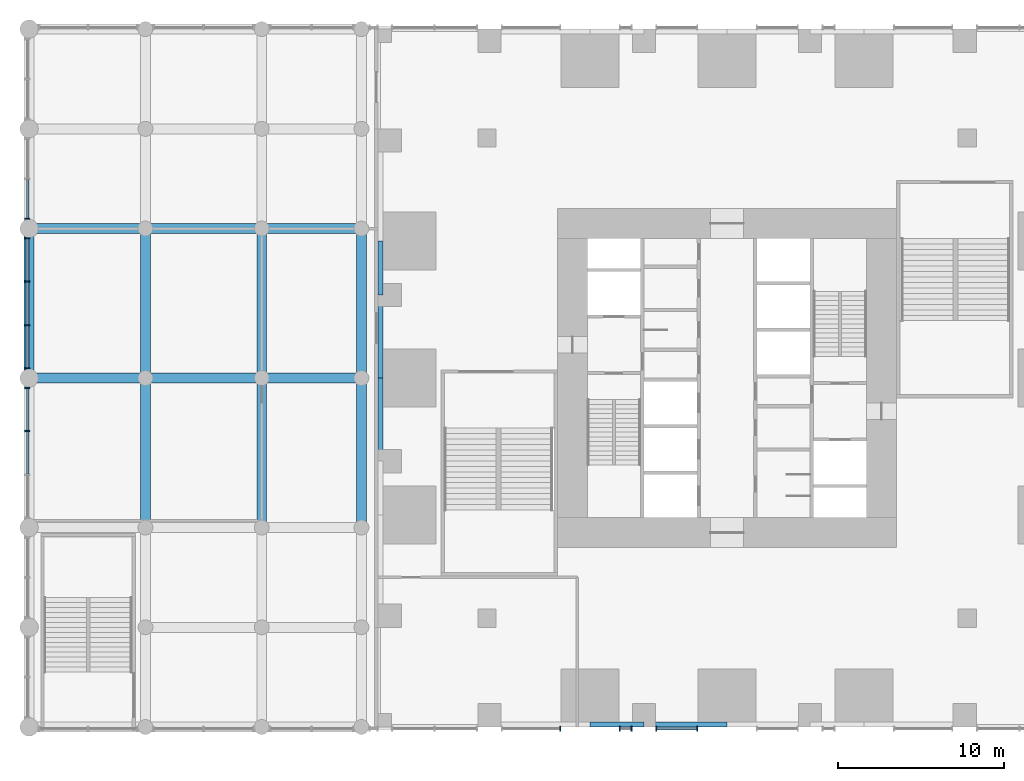
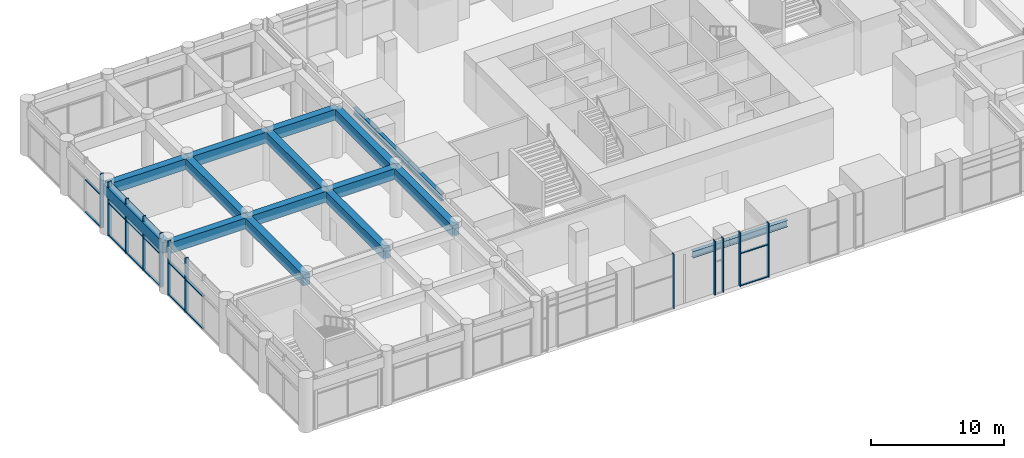
# One storey, part 3 of 23: 26 members, 18 beams, 6 elements without a shape of their own.
"""IFC4 building model written with IfcOpenShell, lengths in metres."""

from ifc_helpers import new_model, si_unit, direction, frame, origin, origin_2d, place, context, subcontext, project, spatial, rectangle, i_section, extrude, material, material_profile, profile_set, type_object, element, aggregate, save


model = new_model("IFC4")

# Units and contexts
model_context = context("Model", 3, precision=1e-05, world=origin(), true_north=direction((0.0, 1.0)))
body_context = subcontext(model_context, "Body", "Model", "MODEL_VIEW")
ifc_project = project(units=[si_unit("LENGTHUNIT", "METRE"), si_unit("AREAUNIT", "SQUARE_METRE"), si_unit("VOLUMEUNIT", "CUBIC_METRE"), si_unit("PLANEANGLEUNIT", "RADIAN"), si_unit("MASSUNIT", "GRAM", prefix="KILO")], contexts=[model_context])

# Site, building, storey
site_placement = place(None, origin())
site = spatial("IfcSite", under=ifc_project, at=site_placement, CompositionType="ELEMENT")
building_placement = place(site_placement, origin())
building = spatial("IfcBuilding", under=site, at=building_placement, Name="Svetlomir Tower", CompositionType="ELEMENT")
storey_placement = place(building_placement, frame((0.0, 0.0, 6.0)))
storey = spatial("IfcBuildingStorey", under=building, at=storey_placement, Name="L01", CompositionType="ELEMENT", Elevation=6.0)

# Curtain wall, member
ifc_material_1 = material(Name="Bronze anodised aluminium curtain wall", Category="aluminium")
curtain_wall_type = type_object("IfcCurtainWallType", Name="CURTAIN WALL CW5 PODIUM", PredefinedType="NOTDEFINED", material=ifc_material_1)
curtain_wall_1_placement = place(storey_placement, origin())
curtain_wall_1 = element("IfcCurtainWall", 1, at=curtain_wall_1_placement, inside=storey, type_object=curtain_wall_type, Name="Curtain wall CW5 L01", PredefinedType="NOTDEFINED")
ifc_material_2 = material(Name="Bronze anodised aluminium", Category="aluminium")
ifc_material_profile_1 = material_profile(ifc_material_2, rectangle(XDim=0.080078125, YDim=0.300048828125, at=origin_2d()), Name="AL 80x300")
ifc_profile_set_1 = profile_set([ifc_material_profile_1], Name="Bronze anodised aluminium 6063-T6")
member_type_1 = type_object("IfcMemberType", Name="CW5 MULLION 80x300", PredefinedType="MULLION", material=ifc_profile_set_1)
member_1_placement = place(storey_placement, frame((10.9599609375, -0.10009765625, 0.0), z_axis=(0.0, 0.0, 1.0), x_axis=(1.0, 0.0, 0.0)))
member_1 = element("IfcMember", 2, at=member_1_placement, type_object=member_type_1, Name="CW5 mullion 2", PredefinedType="MULLION", context=body_context, shape_type="SweptSolid", body=[
    extrude(rectangle(XDim=0.080078125, YDim=0.300048828125, at=origin_2d()), origin(), (0.0, 0.0, 1.0), 5.0),
])
aggregate(curtain_wall_1, [member_1])

# Curtain wall, members
curtain_wall_2_placement = place(storey_placement, origin())
curtain_wall_2 = element("IfcCurtainWall", 3, at=curtain_wall_2_placement, inside=storey, type_object=curtain_wall_type, Name="Curtain wall CW5 L01", PredefinedType="NOTDEFINED")
member_2_placement = place(storey_placement, frame((14.5400390625, -0.10009765625, 0.0), z_axis=(0.0, 0.0, 1.0), x_axis=(1.0, 0.0, 0.0)))
member_2 = element("IfcMember", 4, at=member_2_placement, type_object=member_type_1, Name="CW5 mullion 1", PredefinedType="MULLION", context=body_context, shape_type="SweptSolid", body=[
    extrude(rectangle(XDim=0.080078125, YDim=0.300048828125, at=origin_2d()), origin(), (0.0, 0.0, 1.0), 5.0),
])
member_3_placement = place(storey_placement, frame((15.260009765625, -0.10009765625, 0.0), z_axis=(0.0, 0.0, 1.0), x_axis=(1.0, 0.0, 0.0)))
member_3 = element("IfcMember", 5, at=member_3_placement, type_object=member_type_1, Name="CW5 mullion 2", PredefinedType="MULLION", context=body_context, shape_type="SweptSolid", body=[
    extrude(rectangle(XDim=0.080078125, YDim=0.300048828125, at=origin_2d()), origin(), (0.0, 0.0, 1.0), 5.0),
])
aggregate(curtain_wall_2, [member_2, member_3])

curtain_wall_3_placement = place(storey_placement, origin())
curtain_wall_3 = element("IfcCurtainWall", 6, at=curtain_wall_3_placement, inside=storey, type_object=curtain_wall_type, Name="Curtain wall CW5 L01", PredefinedType="NOTDEFINED")
member_4_placement = place(storey_placement, frame((16.739990234375, -0.10009765625, 0.0), z_axis=(0.0, 0.0, 1.0), x_axis=(1.0, 0.0, 0.0)))
member_4 = element("IfcMember", 7, at=member_4_placement, type_object=member_type_1, Name="CW5 mullion 1", PredefinedType="MULLION", context=body_context, shape_type="SweptSolid", body=[
    extrude(rectangle(XDim=0.080078125, YDim=0.300048828125, at=origin_2d()), origin(), (0.0, 0.0, 1.0), 5.0),
])
member_5_placement = place(storey_placement, frame((19.2099609375, -0.10009765625, 0.0), z_axis=(0.0, 0.0, 1.0), x_axis=(1.0, 0.0, 0.0)))
member_5 = element("IfcMember", 8, at=member_5_placement, type_object=member_type_1, Name="CW5 mullion 2", PredefinedType="MULLION", context=body_context, shape_type="SweptSolid", body=[
    extrude(rectangle(XDim=0.080078125, YDim=0.300048828125, at=origin_2d()), origin(), (0.0, 0.0, 1.0), 5.0),
])

# Curtain wall, member
curtain_wall_4_placement = place(storey_placement, origin())
curtain_wall_4 = element("IfcCurtainWall", 9, at=curtain_wall_4_placement, inside=storey, type_object=curtain_wall_type, Name="Curtain wall CW5 L01", PredefinedType="NOTDEFINED")
member_6_placement = place(storey_placement, frame((-21.10009765625, 30.590087890625, 0.0), z_axis=(0.0, 0.0, 1.0), x_axis=(0.0, -1.0, 0.0)))
member_6 = element("IfcMember", 10, at=member_6_placement, type_object=member_type_1, Name="CW5 mullion 3", PredefinedType="MULLION", context=body_context, shape_type="SweptSolid", body=[
    extrude(rectangle(XDim=0.080078125, YDim=0.300048828125, at=origin_2d()), origin(), (0.0, 0.0, 1.0), 5.0),
])

# Curtain wall, members
curtain_wall_5_placement = place(storey_placement, origin())
curtain_wall_5 = element("IfcCurtainWall", 11, at=curtain_wall_5_placement, inside=storey, type_object=curtain_wall_type, Name="Curtain wall CW5 L01", PredefinedType="NOTDEFINED")
member_7_placement = place(storey_placement, frame((-21.10009765625, 29.409912109375, 0.0), z_axis=(0.0, 0.0, 1.0), x_axis=(0.0, -1.0, 0.0)))
member_7 = element("IfcMember", 12, at=member_7_placement, type_object=member_type_1, Name="CW5 mullion 1", PredefinedType="MULLION", context=body_context, shape_type="SweptSolid", body=[
    extrude(rectangle(XDim=0.080078125, YDim=0.300048828125, at=origin_2d()), origin(), (0.0, 0.0, 1.0), 5.0),
])
member_8_placement = place(storey_placement, frame((-21.10009765625, 26.816650390625, 0.0), z_axis=(0.0, 0.0, 1.0), x_axis=(0.0, -1.0, 0.0)))
member_8 = element("IfcMember", 13, at=member_8_placement, type_object=member_type_1, Name="CW5 mullion 2", PredefinedType="MULLION", context=body_context, shape_type="SweptSolid", body=[
    extrude(rectangle(XDim=0.080078125, YDim=0.300048828125, at=origin_2d()), origin(), (0.0, 0.0, 1.0), 5.0),
])
member_9_placement = place(storey_placement, frame((-21.10009765625, 24.183349609375, 0.0), z_axis=(0.0, 0.0, 1.0), x_axis=(0.0, -1.0, 0.0)))
member_9 = element("IfcMember", 14, at=member_9_placement, type_object=member_type_1, Name="CW5 mullion 3", PredefinedType="MULLION", context=body_context, shape_type="SweptSolid", body=[
    extrude(rectangle(XDim=0.080078125, YDim=0.300048828125, at=origin_2d()), origin(), (0.0, 0.0, 1.0), 5.0),
])
member_10_placement = place(storey_placement, frame((-21.10009765625, 21.590087890625, 0.0), z_axis=(0.0, 0.0, 1.0), x_axis=(0.0, -1.0, 0.0)))
member_10 = element("IfcMember", 15, at=member_10_placement, type_object=member_type_1, Name="CW5 mullion 4", PredefinedType="MULLION", context=body_context, shape_type="SweptSolid", body=[
    extrude(rectangle(XDim=0.080078125, YDim=0.300048828125, at=origin_2d()), origin(), (0.0, 0.0, 1.0), 5.0),
])

curtain_wall_6_placement = place(storey_placement, origin())
curtain_wall_6 = element("IfcCurtainWall", 16, at=curtain_wall_6_placement, inside=storey, type_object=curtain_wall_type, Name="Curtain wall CW5 L01", PredefinedType="NOTDEFINED")
member_11_placement = place(storey_placement, frame((-21.10009765625, 20.409912109375, 0.0), z_axis=(0.0, 0.0, 1.0), x_axis=(0.0, -1.0, 0.0)))
member_11 = element("IfcMember", 17, at=member_11_placement, type_object=member_type_1, Name="CW5 mullion 1", PredefinedType="MULLION", context=body_context, shape_type="SweptSolid", body=[
    extrude(rectangle(XDim=0.080078125, YDim=0.300048828125, at=origin_2d()), origin(), (0.0, 0.0, 1.0), 5.0),
])
member_12_placement = place(storey_placement, frame((-21.10009765625, 17.816650390625, 0.0), z_axis=(0.0, 0.0, 1.0), x_axis=(0.0, -1.0, 0.0)))
member_12 = element("IfcMember", 18, at=member_12_placement, type_object=member_type_1, Name="CW5 mullion 2", PredefinedType="MULLION", context=body_context, shape_type="SweptSolid", body=[
    extrude(rectangle(XDim=0.080078125, YDim=0.300048828125, at=origin_2d()), origin(), (0.0, 0.0, 1.0), 5.0),
])

# Member
ifc_material_3 = material(Name="Bronze anodised aluminium", Category="aluminium")
ifc_material_profile_2 = material_profile(ifc_material_3, rectangle(XDim=0.179931640625, YDim=0.080078125, at=origin_2d()), Name="AL 180x80")
ifc_profile_set_2 = profile_set([ifc_material_profile_2], Name="Bronze anodised aluminium 6063-T6")
member_type_2 = type_object("IfcMemberType", Name="CW5 TRANSOM 80x180", PredefinedType="USERDEFINED", material=ifc_profile_set_2)
member_13_placement = place(storey_placement, frame((16.780029296875, -0.10009765625, 0.0400390625), z_axis=(1.0, 0.0, 0.0), x_axis=(0.0, 1.0, 0.0)))
member_13 = element("IfcMember", 19, at=member_13_placement, type_object=member_type_2, Name="CW5 transom 1.1", ObjectType="TRANSOM", PredefinedType="USERDEFINED", context=body_context, shape_type="SweptSolid", body=[
    extrude(rectangle(XDim=0.179931640625, YDim=0.080078125, at=origin_2d()), origin(), (0.0, 0.0, 1.0), 2.389892578125),
])

member_14_placement = place(storey_placement, frame((16.780029296875, -0.10009765625, 3.0), z_axis=(1.0, 0.0, 0.0), x_axis=(0.0, 1.0, 0.0)))
member_14 = element("IfcMember", 20, at=member_14_placement, type_object=member_type_2, Name="CW5 transom 1.2", ObjectType="TRANSOM", PredefinedType="USERDEFINED", context=body_context, shape_type="SweptSolid", body=[
    extrude(rectangle(XDim=0.179931640625, YDim=0.080078125, at=origin_2d()), origin(), (0.0, 0.0, 1.0), 2.389892578125),
])

aggregate(curtain_wall_3, [member_4, member_5, member_13, member_14])

member_15_placement = place(storey_placement, frame((-21.10009765625, 32.9599609375, 0.0400390625), z_axis=(0.0, -1.0, 0.0), x_axis=(1.0, 0.0, 0.0)))
member_15 = element("IfcMember", 21, at=member_15_placement, type_object=member_type_2, Name="CW5 transom 2.1", ObjectType="TRANSOM", PredefinedType="USERDEFINED", context=body_context, shape_type="SweptSolid", body=[
    extrude(rectangle(XDim=0.179931640625, YDim=0.080078125, at=origin_2d()), origin(), (0.0, 0.0, 1.0), 2.330078125),
])

member_16_placement = place(storey_placement, frame((-21.10009765625, 32.9599609375, 3.0), z_axis=(0.0, -1.0, 0.0), x_axis=(1.0, 0.0, 0.0)))
member_16 = element("IfcMember", 22, at=member_16_placement, type_object=member_type_2, Name="CW5 transom 2.2", ObjectType="TRANSOM", PredefinedType="USERDEFINED", context=body_context, shape_type="SweptSolid", body=[
    extrude(rectangle(XDim=0.179931640625, YDim=0.080078125, at=origin_2d()), origin(), (0.0, 0.0, 1.0), 2.330078125),
])

aggregate(curtain_wall_4, [member_6, member_15, member_16])

member_17_placement = place(storey_placement, frame((-21.10009765625, 29.3701171875, 0.0400390625), z_axis=(0.0, -1.0, 0.0), x_axis=(1.0, 0.0, 0.0)))
member_17 = element("IfcMember", 23, at=member_17_placement, type_object=member_type_2, Name="CW5 transom 1.1", ObjectType="TRANSOM", PredefinedType="USERDEFINED", context=body_context, shape_type="SweptSolid", body=[
    extrude(rectangle(XDim=0.179931640625, YDim=0.080078125, at=origin_2d()), origin(), (0.0, 0.0, 1.0), 2.513427734375),
])

member_18_placement = place(storey_placement, frame((-21.10009765625, 29.3701171875, 3.0), z_axis=(0.0, -1.0, 0.0), x_axis=(1.0, 0.0, 0.0)))
member_18 = element("IfcMember", 24, at=member_18_placement, type_object=member_type_2, Name="CW5 transom 1.2", ObjectType="TRANSOM", PredefinedType="USERDEFINED", context=body_context, shape_type="SweptSolid", body=[
    extrude(rectangle(XDim=0.179931640625, YDim=0.080078125, at=origin_2d()), origin(), (0.0, 0.0, 1.0), 2.513427734375),
])

member_19_placement = place(storey_placement, frame((-21.10009765625, 26.776611328125, 0.0400390625), z_axis=(0.0, -1.0, 0.0), x_axis=(1.0, 0.0, 0.0)))
member_19 = element("IfcMember", 25, at=member_19_placement, type_object=member_type_2, Name="CW5 transom 2.1", ObjectType="TRANSOM", PredefinedType="USERDEFINED", context=body_context, shape_type="SweptSolid", body=[
    extrude(rectangle(XDim=0.179931640625, YDim=0.080078125, at=origin_2d()), origin(), (0.0, 0.0, 1.0), 2.55322265625),
])

member_20_placement = place(storey_placement, frame((-21.10009765625, 26.776611328125, 3.0), z_axis=(0.0, -1.0, 0.0), x_axis=(1.0, 0.0, 0.0)))
member_20 = element("IfcMember", 26, at=member_20_placement, type_object=member_type_2, Name="CW5 transom 2.2", ObjectType="TRANSOM", PredefinedType="USERDEFINED", context=body_context, shape_type="SweptSolid", body=[
    extrude(rectangle(XDim=0.179931640625, YDim=0.080078125, at=origin_2d()), origin(), (0.0, 0.0, 1.0), 2.55322265625),
])

member_21_placement = place(storey_placement, frame((-21.10009765625, 24.143310546875, 0.0400390625), z_axis=(0.0, -1.0, 0.0), x_axis=(1.0, 0.0, 0.0)))
member_21 = element("IfcMember", 27, at=member_21_placement, type_object=member_type_2, Name="CW5 transom 3.1", ObjectType="TRANSOM", PredefinedType="USERDEFINED", context=body_context, shape_type="SweptSolid", body=[
    extrude(rectangle(XDim=0.179931640625, YDim=0.080078125, at=origin_2d()), origin(), (0.0, 0.0, 1.0), 2.513427734375),
])

member_22_placement = place(storey_placement, frame((-21.10009765625, 24.143310546875, 3.0), z_axis=(0.0, -1.0, 0.0), x_axis=(1.0, 0.0, 0.0)))
member_22 = element("IfcMember", 28, at=member_22_placement, type_object=member_type_2, Name="CW5 transom 3.2", ObjectType="TRANSOM", PredefinedType="USERDEFINED", context=body_context, shape_type="SweptSolid", body=[
    extrude(rectangle(XDim=0.179931640625, YDim=0.080078125, at=origin_2d()), origin(), (0.0, 0.0, 1.0), 2.513427734375),
])

aggregate(curtain_wall_5, [member_7, member_8, member_9, member_10, member_17, member_18, member_19, member_20, member_21, member_22])

member_23_placement = place(storey_placement, frame((-21.10009765625, 20.3701171875, 0.0400390625), z_axis=(0.0, -1.0, 0.0), x_axis=(1.0, 0.0, 0.0)))
member_23 = element("IfcMember", 29, at=member_23_placement, type_object=member_type_2, Name="CW5 transom 1.1", ObjectType="TRANSOM", PredefinedType="USERDEFINED", context=body_context, shape_type="SweptSolid", body=[
    extrude(rectangle(XDim=0.179931640625, YDim=0.080078125, at=origin_2d()), origin(), (0.0, 0.0, 1.0), 2.513427734375),
])

member_24_placement = place(storey_placement, frame((-21.10009765625, 20.3701171875, 3.0), z_axis=(0.0, -1.0, 0.0), x_axis=(1.0, 0.0, 0.0)))
member_24 = element("IfcMember", 30, at=member_24_placement, type_object=member_type_2, Name="CW5 transom 1.2", ObjectType="TRANSOM", PredefinedType="USERDEFINED", context=body_context, shape_type="SweptSolid", body=[
    extrude(rectangle(XDim=0.179931640625, YDim=0.080078125, at=origin_2d()), origin(), (0.0, 0.0, 1.0), 2.513427734375),
])

member_25_placement = place(storey_placement, frame((-21.10009765625, 17.776611328125, 0.0400390625), z_axis=(0.0, -1.0, 0.0), x_axis=(1.0, 0.0, 0.0)))
member_25 = element("IfcMember", 31, at=member_25_placement, type_object=member_type_2, Name="CW5 transom 2.1", ObjectType="TRANSOM", PredefinedType="USERDEFINED", context=body_context, shape_type="SweptSolid", body=[
    extrude(rectangle(XDim=0.179931640625, YDim=0.080078125, at=origin_2d()), origin(), (0.0, 0.0, 1.0), 2.55322265625),
])

member_26_placement = place(storey_placement, frame((-21.10009765625, 17.776611328125, 3.0), z_axis=(0.0, -1.0, 0.0), x_axis=(1.0, 0.0, 0.0)))
member_26 = element("IfcMember", 32, at=member_26_placement, type_object=member_type_2, Name="CW5 transom 2.2", ObjectType="TRANSOM", PredefinedType="USERDEFINED", context=body_context, shape_type="SweptSolid", body=[
    extrude(rectangle(XDim=0.179931640625, YDim=0.080078125, at=origin_2d()), origin(), (0.0, 0.0, 1.0), 2.55322265625),
])

aggregate(curtain_wall_6, [member_11, member_12, member_23, member_24, member_25, member_26])

# Beams
ifc_material_4 = material(Name="Concrete C60/75", Category="concrete")
ifc_material_profile_3 = material_profile(ifc_material_4, rectangle(XDim=0.60009765625, YDim=1.0, at=origin_2d()), Name="RC 600x1000")
ifc_profile_set_3 = profile_set([ifc_material_profile_3], Name="Concrete C60/75")
beam_type_1 = type_object("IfcBeamType", Name="PODIUM BEAM RC 600x1000", PredefinedType="BEAM", material=ifc_profile_set_3)
beam_1_placement = place(storey_placement, frame((-21.0, 21.0, 4.0), z_axis=(0.0, 1.0, 0.0), x_axis=(-1.0, 0.0, 0.0)))
element("IfcBeam", 33, at=beam_1_placement, inside=storey, type_object=beam_type_1, Name="Podium beam -21/21 to -21/30 under L02", PredefinedType="BEAM", context=body_context, shape_type="SweptSolid", body=[
    extrude(rectangle(XDim=0.60009765625, YDim=1.0, at=origin_2d()), origin(), (0.0, 0.0, 1.0), 9.0),
])
for number, where, z_axis, x_axis, name in (
    (34, (-21.0, 21.0, 4.0), (1.0, 0.0, 0.0), (0.0, 1.0, 0.0), "Podium beam -21/21 to -14/21 under L02"),
    (35, (-21.0, 30.0, 4.0), (1.0, 0.0, 0.0), (0.0, 1.0, 0.0), "Podium beam -21/30 to -14/30 under L02"),
):
    element("IfcBeam", number, at=place(storey_placement, frame(where, z_axis=z_axis, x_axis=x_axis)), inside=storey, type_object=beam_type_1, Name=name, PredefinedType="BEAM", context=body_context, shape_type="SweptSolid", body=[
        extrude(rectangle(XDim=0.60009765625, YDim=1.0, at=origin_2d()), origin(), (0.0, 0.0, 1.0), 7.0),
    ])
for number, where, z_axis, x_axis, name in (
    (36, (-14.0, 12.0, 4.0), (0.0, 1.0, 0.0), (-1.0, 0.0, 0.0), "Podium beam -14/12 to -14/21 under L02"),
    (37, (-14.0, 21.0, 4.0), (0.0, 1.0, 0.0), (-1.0, 0.0, 0.0), "Podium beam -14/21 to -14/30 under L02"),
):
    element("IfcBeam", number, at=place(storey_placement, frame(where, z_axis=z_axis, x_axis=x_axis)), inside=storey, type_object=beam_type_1, Name=name, PredefinedType="BEAM", context=body_context, shape_type="SweptSolid", body=[
        extrude(rectangle(XDim=0.60009765625, YDim=1.0, at=origin_2d()), origin(), (0.0, 0.0, 1.0), 9.0),
    ])
for number, where, z_axis, x_axis, name in (
    (38, (-14.0, 21.0, 4.0), (1.0, 0.0, 0.0), (0.0, 1.0, 0.0), "Podium beam -14/21 to -7/21 under L02"),
    (39, (-14.0, 30.0, 4.0), (1.0, 0.0, 0.0), (0.0, 1.0, 0.0), "Podium beam -14/30 to -7/30 under L02"),
):
    element("IfcBeam", number, at=place(storey_placement, frame(where, z_axis=z_axis, x_axis=x_axis)), inside=storey, type_object=beam_type_1, Name=name, PredefinedType="BEAM", context=body_context, shape_type="SweptSolid", body=[
        extrude(rectangle(XDim=0.60009765625, YDim=1.0, at=origin_2d()), origin(), (0.0, 0.0, 1.0), 7.0),
    ])
for number, where, z_axis, x_axis, name in (
    (40, (-7.0, 12.0, 4.0), (0.0, 1.0, 0.0), (-1.0, 0.0, 0.0), "Podium beam -7/12 to -7/21 under L02"),
    (41, (-7.0, 21.0, 4.0), (0.0, 1.0, 0.0), (-1.0, 0.0, 0.0), "Podium beam -7/21 to -7/30 under L02"),
):
    element("IfcBeam", number, at=place(storey_placement, frame(where, z_axis=z_axis, x_axis=x_axis)), inside=storey, type_object=beam_type_1, Name=name, PredefinedType="BEAM", context=body_context, shape_type="SweptSolid", body=[
        extrude(rectangle(XDim=0.60009765625, YDim=1.0, at=origin_2d()), origin(), (0.0, 0.0, 1.0), 9.0),
    ])
for number, where, z_axis, x_axis, name in (
    (42, (-7.0, 21.0, 4.0), (1.0, 0.0, 0.0), (0.0, 1.0, 0.0), "Podium beam -7/21 to -1/21 under L02"),
    (43, (-7.0, 30.0, 4.0), (1.0, 0.0, 0.0), (0.0, 1.0, 0.0), "Podium beam -7/30 to -1/30 under L02"),
):
    element("IfcBeam", number, at=place(storey_placement, frame(where, z_axis=z_axis, x_axis=x_axis)), inside=storey, type_object=beam_type_1, Name=name, PredefinedType="BEAM", context=body_context, shape_type="SweptSolid", body=[
        extrude(rectangle(XDim=0.60009765625, YDim=1.0, at=origin_2d()), origin(), (0.0, 0.0, 1.0), 6.0),
    ])
for number, where, z_axis, x_axis, name in (
    (44, (-1.0, 12.0, 4.0), (0.0, 1.0, 0.0), (-1.0, 0.0, 0.0), "Podium beam -1/12 to -1/21 under L02"),
    (45, (-1.0, 21.0, 4.0), (0.0, 1.0, 0.0), (-1.0, 0.0, 0.0), "Podium beam -1/21 to -1/30 under L02"),
):
    element("IfcBeam", number, at=place(storey_placement, frame(where, z_axis=z_axis, x_axis=x_axis)), inside=storey, type_object=beam_type_1, Name=name, PredefinedType="BEAM", context=body_context, shape_type="SweptSolid", body=[
        extrude(rectangle(XDim=0.60009765625, YDim=1.0, at=origin_2d()), origin(), (0.0, 0.0, 1.0), 9.0),
    ])
ifc_material_5 = material(Name="Steel S355", Category="steel")
ifc_material_profile_4 = material_profile(ifc_material_5, i_section(OverallWidth=0.304931640625, OverallDepth=0.6201171875, WebThickness=0.02099609375, FlangeThickness=0.0400390625, FilletRadius=0.027099609375, at=origin_2d()), Name="HEM 600")
ifc_profile_set_4 = profile_set([ifc_material_profile_4], Name="Steel S355")
beam_type_2 = type_object("IfcBeamType", Name="PODIUM EDGE BEAM HEM 600", PredefinedType="BEAM", material=ifc_profile_set_4)
for number, where, z_axis, x_axis, name in (
    (46, (0.152587890625, 16.0, 4.18994140625), (0.0, 1.0, 0.0), (-1.0, 0.0, 0.0), "Podium beam 0/16 to 0/21 under L02"),
    (47, (0.152587890625, 21.0, 4.18994140625), (0.0, 1.0, 0.0), (-1.0, 0.0, 0.0), "Podium beam 0/21 to 0/26 under L02"),
):
    element("IfcBeam", number, at=place(storey_placement, frame(where, z_axis=z_axis, x_axis=x_axis)), inside=storey, type_object=beam_type_2, Name=name, PredefinedType="BEAM", context=body_context, shape_type="SweptSolid", body=[
        extrude(i_section(OverallWidth=0.304931640625, OverallDepth=0.6201171875, WebThickness=0.02099609375, FlangeThickness=0.0400390625, FilletRadius=0.027099609375, at=origin_2d()), origin(), (0.0, 0.0, 1.0), 5.0),
    ])
for number, where, z_axis, x_axis, name in (
    (48, (0.152587890625, 26.0, 4.18994140625), (0.0, 1.0, 0.0), (-1.0, 0.0, 0.0), "Podium beam 0/26 to 0/31 under L02"),
    (49, (12.75, 0.152587890625, 4.18994140625), (1.0, 0.0, 0.0), (0.0, 1.0, 0.0), "Podium beam 11/0 to 16/0 under L02"),
):
    element("IfcBeam", number, at=place(storey_placement, frame(where, z_axis=z_axis, x_axis=x_axis)), inside=storey, type_object=beam_type_2, Name=name, PredefinedType="BEAM", context=body_context, shape_type="SweptSolid", body=[
        extrude(i_section(OverallWidth=0.304931640625, OverallDepth=0.6201171875, WebThickness=0.02099609375, FlangeThickness=0.0400390625, FilletRadius=0.027099609375, at=origin_2d()), origin(), (0.0, 0.0, 1.0), 3.25),
    ])
beam_2_placement = place(storey_placement, frame((16.0, 0.152587890625, 4.18994140625), z_axis=(1.0, 0.0, 0.0), x_axis=(0.0, 1.0, 0.0)))
element("IfcBeam", 50, at=beam_2_placement, inside=storey, type_object=beam_type_2, Name="Podium beam 16/0 to 21/0 under L02", PredefinedType="BEAM", context=body_context, shape_type="SweptSolid", body=[
    extrude(i_section(OverallWidth=0.304931640625, OverallDepth=0.6201171875, WebThickness=0.02099609375, FlangeThickness=0.0400390625, FilletRadius=0.027099609375, at=origin_2d()), origin(), (0.0, 0.0, 1.0), 5.0),
])

save(model, "model.ifc")
